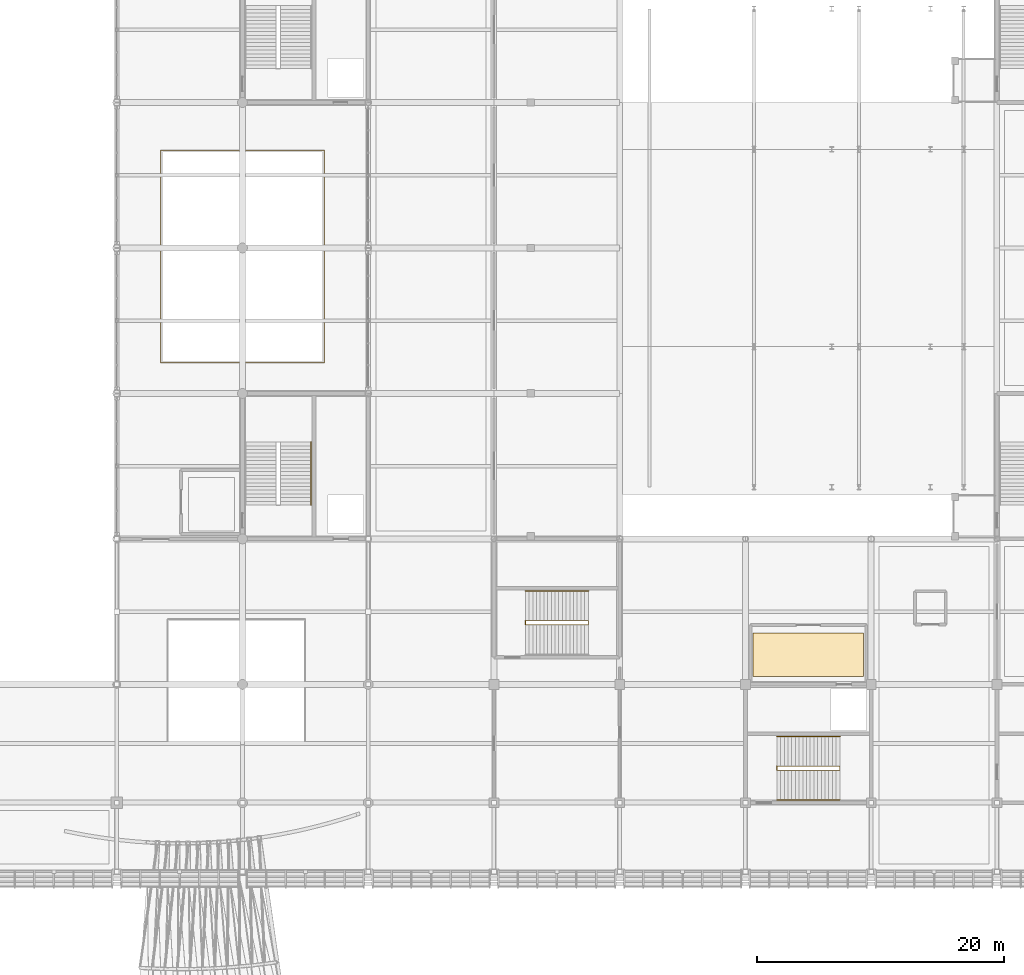
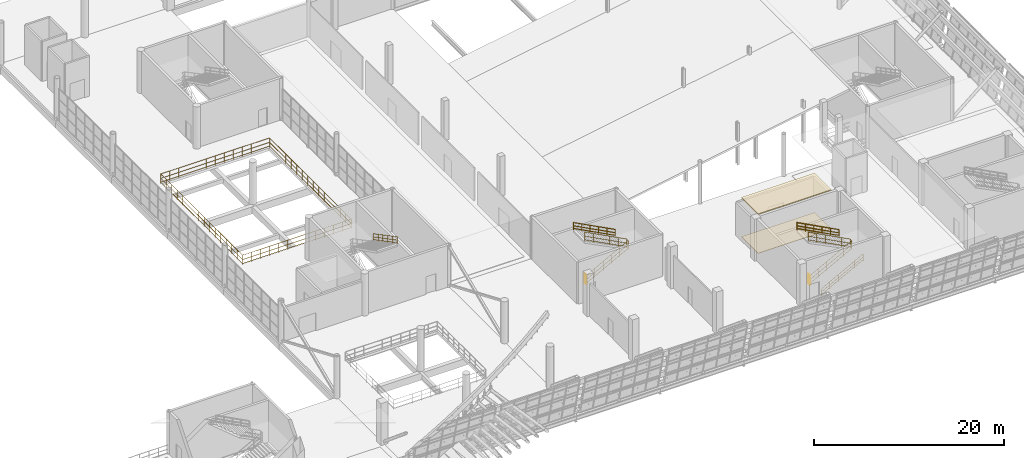
# One storey, part 167 of 175: 9 railings, 2 coverings.
"""IFC4 building model written with IfcOpenShell, lengths in metres."""

from ifc_helpers import new_model, si_unit, direction, frame, origin, origin_2d, place, context, subcontext, project, spatial, polyline, circle, outline, extrude, material, layer, layer_set, type_object, element, save


model = new_model("IFC4")

# Units and contexts
model_context = context("Model", 3, precision=1e-05, world=origin(), true_north=direction((0.0, 1.0)))
body_context = subcontext(model_context, "Body", "Model", "MODEL_VIEW")
ifc_project = project(units=[si_unit("LENGTHUNIT", "METRE"), si_unit("AREAUNIT", "SQUARE_METRE"), si_unit("VOLUMEUNIT", "CUBIC_METRE"), si_unit("PLANEANGLEUNIT", "RADIAN"), si_unit("MASSUNIT", "GRAM", prefix="KILO")], contexts=[model_context])

# Site, building, storey
site_placement = place(None, origin())
site = spatial("IfcSite", under=ifc_project, at=site_placement, CompositionType="ELEMENT")
building_placement = place(site_placement, origin())
building = spatial("IfcBuilding", under=site, at=building_placement, Name="Brelvane Convention Centre", CompositionType="ELEMENT")
storey_placement = place(building_placement, frame((0.0, 0.0, 5.39990234375)))
storey = spatial("IfcBuildingStorey", under=building, at=storey_placement, Name="L01", CompositionType="ELEMENT", Elevation=5.39990234375)

# Coverings
ifc_material_1 = material(Name="Perforated Anodised Aluminium Alloy 6063 Acoustic Baffle", Category="aluminium")
ifc_layer_1 = layer(ifc_material_1, 0.110107421875)
ifc_layer_set_1 = layer_set([ifc_layer_1], Name="Perforated Anodised Aluminium Alloy 6063 Acoustic Baffle")
covering_type_1 = type_object("IfcCoveringType", Name="Interior Finish CL-BAF-110", PredefinedType="CEILING", material=ifc_layer_set_1)
covering_1_placement = place(storey_placement, frame((0.0, 0.0, 5.010009765625)))
element("IfcCovering", 1, at=covering_1_placement, inside=storey, type_object=covering_type_1, Name="Firefighting Lift Lobby C8 Acoustic Ceiling (CL-BAF-110)", PredefinedType="CEILING", context=body_context, shape_type="SweptSolid", body=[
    extrude(outline(polyline([(194.429931640625, 29.429931640625), (203.3701171875, 29.429931640625), (203.3701171875, 32.969970703125), (194.429931640625, 32.969970703125), (194.429931640625, 29.429931640625)])), origin(), (0.0, 0.0, 1.0), 0.110107421875),
])
ifc_material_2 = material(Name="Heavy-Duty Quartz-Filled Industrial Epoxy Screed Grade A")
ifc_layer_2 = layer(ifc_material_2, 0.044921875)
ifc_layer_set_2 = layer_set([ifc_layer_2], Name="Heavy-Duty Quartz-Filled Industrial Epoxy Screed Grade A")
covering_type_2 = type_object("IfcCoveringType", Name="Interior Finish FL-EPX-45", PredefinedType="FLOORING", material=ifc_layer_set_2)
covering_2_placement = place(storey_placement, origin())
element("IfcCovering", 2, at=covering_2_placement, inside=storey, type_object=covering_type_2, Name="Firefighting Lift Lobby C8 Floor Finish (FL-EPX-45)", PredefinedType="FLOORING", context=body_context, shape_type="SweptSolid", body=[
    extrude(outline(polyline([(194.429931640625, 29.429931640625), (203.3701171875, 29.429931640625), (203.3701171875, 32.969970703125), (194.429931640625, 32.969970703125), (194.429931640625, 29.429931640625)])), origin(), (0.0, 0.0, 1.0), 0.045166015625),
])

# Railings
ifc_material_3 = material(Name="Steel E350 (350 MPa)", Category="steel")
railing_type_1 = type_object("IfcRailingType", Name="Railing BL-ATR-2", PredefinedType="BALUSTRADE", material=ifc_material_3)
railing_1_placement = place(storey_placement, frame((146.3798828125, 54.8798828125, 0.0)))
element("IfcRailing", 3, at=railing_1_placement, inside=storey, type_object=railing_type_1, Name="Railing BL-ATR-2 L01-atrium_well_04", PredefinedType="BALUSTRADE", context=body_context, shape_type="SweptSolid", body=[
    extrude(circle(Radius=0.02392578125, at=origin_2d()), frame((0.0, 0.0, 1.19580078125), z_axis=(1.0, 0.0, 0.0), x_axis=(0.0, 1.0, 0.0)), (0.0, 0.0, 1.0), 13.240234375),
    extrude(circle(Radius=0.02392578125, at=origin_2d()), frame((0.0, 0.0, 0.63427734375), z_axis=(1.0, 0.0, 0.0), x_axis=(0.0, 1.0, 0.0)), (0.0, 0.0, 1.0), 13.240234375),
    extrude(circle(Radius=0.02392578125, at=origin_2d()), frame((0.0, 0.0, 0.139892578125), z_axis=(1.0, 0.0, 0.0), x_axis=(0.0, 1.0, 0.0)), (0.0, 0.0, 1.0), 13.240234375),
    extrude(circle(Radius=0.02392578125, at=origin_2d()), frame((13.240234375, 0.0, 1.19580078125), z_axis=(0.0, 1.0, 0.0), x_axis=(-1.0, 0.0, 0.0)), (0.0, 0.0, 1.0), 17.240234375),
    extrude(circle(Radius=0.02392578125, at=origin_2d()), frame((13.240234375, 0.0, 0.63427734375), z_axis=(0.0, 1.0, 0.0), x_axis=(-1.0, 0.0, 0.0)), (0.0, 0.0, 1.0), 17.240234375),
    extrude(circle(Radius=0.02392578125, at=origin_2d()), frame((13.240234375, 0.0, 0.139892578125), z_axis=(0.0, 1.0, 0.0), x_axis=(-1.0, 0.0, 0.0)), (0.0, 0.0, 1.0), 17.240234375),
    extrude(circle(Radius=0.02392578125, at=origin_2d()), frame((13.240234375, 17.240234375, 1.19580078125), z_axis=(-1.0, 0.0, 0.0), x_axis=(0.0, -1.0, 0.0)), (0.0, 0.0, 1.0), 13.240234375),
    extrude(circle(Radius=0.02392578125, at=origin_2d()), frame((13.240234375, 17.240234375, 0.63427734375), z_axis=(-1.0, 0.0, 0.0), x_axis=(0.0, -1.0, 0.0)), (0.0, 0.0, 1.0), 13.240234375),
    extrude(circle(Radius=0.02392578125, at=origin_2d()), frame((13.240234375, 17.240234375, 0.139892578125), z_axis=(-1.0, 0.0, 0.0), x_axis=(0.0, -1.0, 0.0)), (0.0, 0.0, 1.0), 13.240234375),
    extrude(circle(Radius=0.02392578125, at=origin_2d()), frame((0.0, 17.240234375, 1.19580078125), z_axis=(0.0, -1.0, 0.0), x_axis=(1.0, 0.0, 0.0)), (0.0, 0.0, 1.0), 17.235107421875),
    extrude(circle(Radius=0.02392578125, at=origin_2d()), frame((0.0, 17.240234375, 0.63427734375), z_axis=(0.0, -1.0, 0.0), x_axis=(1.0, 0.0, 0.0)), (0.0, 0.0, 1.0), 17.235107421875),
    extrude(circle(Radius=0.02392578125, at=origin_2d()), frame((0.0, 17.240234375, 0.139892578125), z_axis=(0.0, -1.0, 0.0), x_axis=(1.0, 0.0, 0.0)), (0.0, 0.0, 1.0), 17.235107421875),
    extrude(circle(Radius=0.02099609375, at=origin_2d()), origin(), (0.0, 0.0, 1.0), 1.171875),
    extrude(circle(Radius=0.02099609375, at=origin_2d()), frame((1.103271484375, 0.0, 0.0)), (0.0, 0.0, 1.0), 1.171875),
    extrude(circle(Radius=0.02099609375, at=origin_2d()), frame((2.206787109375, 0.0, 0.0)), (0.0, 0.0, 1.0), 1.171875),
    extrude(circle(Radius=0.02099609375, at=origin_2d()), frame((3.31005859375, 0.0, 0.0)), (0.0, 0.0, 1.0), 1.171875),
    extrude(circle(Radius=0.02099609375, at=origin_2d()), frame((4.413330078125, 0.0, 0.0)), (0.0, 0.0, 1.0), 1.171875),
    extrude(circle(Radius=0.02099609375, at=origin_2d()), frame((5.516845703125, 0.0, 0.0)), (0.0, 0.0, 1.0), 1.171875),
    extrude(circle(Radius=0.02099609375, at=origin_2d()), frame((6.6201171875, 0.0, 0.0)), (0.0, 0.0, 1.0), 1.171875),
    extrude(circle(Radius=0.02099609375, at=origin_2d()), frame((7.723388671875, 0.0, 0.0)), (0.0, 0.0, 1.0), 1.171875),
    extrude(circle(Radius=0.02099609375, at=origin_2d()), frame((8.826904296875, 0.0, 0.0)), (0.0, 0.0, 1.0), 1.171875),
    extrude(circle(Radius=0.02099609375, at=origin_2d()), frame((9.93017578125, 0.0, 0.0)), (0.0, 0.0, 1.0), 1.171875),
    extrude(circle(Radius=0.02099609375, at=origin_2d()), frame((11.033447265625, 0.0, 0.0)), (0.0, 0.0, 1.0), 1.171875),
    extrude(circle(Radius=0.02099609375, at=origin_2d()), frame((12.136962890625, 0.0, 0.0)), (0.0, 0.0, 1.0), 1.171875),
    extrude(circle(Radius=0.02099609375, at=origin_2d()), frame((13.240234375, 0.0, 0.0)), (0.0, 0.0, 1.0), 1.171875),
    extrude(circle(Radius=0.02099609375, at=origin_2d()), frame((13.240234375, 1.1494140625, 0.0)), (0.0, 0.0, 1.0), 1.171875),
    extrude(circle(Radius=0.02099609375, at=origin_2d()), frame((13.240234375, 2.298583984375, 0.0)), (0.0, 0.0, 1.0), 1.171875),
    extrude(circle(Radius=0.02099609375, at=origin_2d()), frame((13.240234375, 3.447998046875, 0.0)), (0.0, 0.0, 1.0), 1.171875),
    extrude(circle(Radius=0.02099609375, at=origin_2d()), frame((13.240234375, 4.597412109375, 0.0)), (0.0, 0.0, 1.0), 1.171875),
    extrude(circle(Radius=0.02099609375, at=origin_2d()), frame((13.240234375, 5.746826171875, 0.0)), (0.0, 0.0, 1.0), 1.171875),
    extrude(circle(Radius=0.02099609375, at=origin_2d()), frame((13.240234375, 6.89599609375, 0.0)), (0.0, 0.0, 1.0), 1.171875),
    extrude(circle(Radius=0.02099609375, at=origin_2d()), frame((13.240234375, 8.04541015625, 0.0)), (0.0, 0.0, 1.0), 1.171875),
    extrude(circle(Radius=0.02099609375, at=origin_2d()), frame((13.240234375, 9.19482421875, 0.0)), (0.0, 0.0, 1.0), 1.171875),
    extrude(circle(Radius=0.02099609375, at=origin_2d()), frame((13.240234375, 10.34423828125, 0.0)), (0.0, 0.0, 1.0), 1.171875),
    extrude(circle(Radius=0.02099609375, at=origin_2d()), frame((13.240234375, 11.493408203125, 0.0)), (0.0, 0.0, 1.0), 1.171875),
    extrude(circle(Radius=0.02099609375, at=origin_2d()), frame((13.240234375, 12.642822265625, 0.0)), (0.0, 0.0, 1.0), 1.171875),
    extrude(circle(Radius=0.02099609375, at=origin_2d()), frame((13.240234375, 13.792236328125, 0.0)), (0.0, 0.0, 1.0), 1.171875),
    extrude(circle(Radius=0.02099609375, at=origin_2d()), frame((13.240234375, 14.941650390625, 0.0)), (0.0, 0.0, 1.0), 1.171875),
    extrude(circle(Radius=0.02099609375, at=origin_2d()), frame((13.240234375, 16.0908203125, 0.0)), (0.0, 0.0, 1.0), 1.171875),
    extrude(circle(Radius=0.02099609375, at=origin_2d()), frame((13.240234375, 17.240234375, 0.0)), (0.0, 0.0, 1.0), 1.171875),
    extrude(circle(Radius=0.02099609375, at=origin_2d()), frame((12.136962890625, 17.240234375, 0.0)), (0.0, 0.0, 1.0), 1.171875),
    extrude(circle(Radius=0.02099609375, at=origin_2d()), frame((11.033447265625, 17.240234375, 0.0)), (0.0, 0.0, 1.0), 1.171875),
    extrude(circle(Radius=0.02099609375, at=origin_2d()), frame((9.93017578125, 17.240234375, 0.0)), (0.0, 0.0, 1.0), 1.171875),
    extrude(circle(Radius=0.02099609375, at=origin_2d()), frame((8.826904296875, 17.240234375, 0.0)), (0.0, 0.0, 1.0), 1.171875),
    extrude(circle(Radius=0.02099609375, at=origin_2d()), frame((7.723388671875, 17.240234375, 0.0)), (0.0, 0.0, 1.0), 1.171875),
    extrude(circle(Radius=0.02099609375, at=origin_2d()), frame((6.6201171875, 17.240234375, 0.0)), (0.0, 0.0, 1.0), 1.171875),
    extrude(circle(Radius=0.02099609375, at=origin_2d()), frame((5.516845703125, 17.240234375, 0.0)), (0.0, 0.0, 1.0), 1.171875),
    extrude(circle(Radius=0.02099609375, at=origin_2d()), frame((4.413330078125, 17.240234375, 0.0)), (0.0, 0.0, 1.0), 1.171875),
    extrude(circle(Radius=0.02099609375, at=origin_2d()), frame((3.31005859375, 17.240234375, 0.0)), (0.0, 0.0, 1.0), 1.171875),
    extrude(circle(Radius=0.02099609375, at=origin_2d()), frame((2.206787109375, 17.240234375, 0.0)), (0.0, 0.0, 1.0), 1.171875),
    extrude(circle(Radius=0.02099609375, at=origin_2d()), frame((1.103271484375, 17.240234375, 0.0)), (0.0, 0.0, 1.0), 1.171875),
    extrude(circle(Radius=0.02099609375, at=origin_2d()), frame((0.0, 17.240234375, 0.0)), (0.0, 0.0, 1.0), 1.171875),
    extrude(circle(Radius=0.02099609375, at=origin_2d()), frame((0.0, 16.09130859375, 0.0)), (0.0, 0.0, 1.0), 1.171875),
    extrude(circle(Radius=0.02099609375, at=origin_2d()), frame((0.0, 14.942138671875, 0.0)), (0.0, 0.0, 1.0), 1.171875),
    extrude(circle(Radius=0.02099609375, at=origin_2d()), frame((0.0, 13.793212890625, 0.0)), (0.0, 0.0, 1.0), 1.171875),
    extrude(circle(Radius=0.02099609375, at=origin_2d()), frame((0.0, 12.644287109375, 0.0)), (0.0, 0.0, 1.0), 1.171875),
    extrude(circle(Radius=0.02099609375, at=origin_2d()), frame((0.0, 11.4951171875, 0.0)), (0.0, 0.0, 1.0), 1.171875),
    extrude(circle(Radius=0.02099609375, at=origin_2d()), frame((0.0, 10.34619140625, 0.0)), (0.0, 0.0, 1.0), 1.171875),
    extrude(circle(Radius=0.02099609375, at=origin_2d()), frame((0.0, 9.197265625, 0.0)), (0.0, 0.0, 1.0), 1.171875),
    extrude(circle(Radius=0.02099609375, at=origin_2d()), frame((0.0, 8.048095703125, 0.0)), (0.0, 0.0, 1.0), 1.171875),
    extrude(circle(Radius=0.02099609375, at=origin_2d()), frame((0.0, 6.899169921875, 0.0)), (0.0, 0.0, 1.0), 1.171875),
    extrude(circle(Radius=0.02099609375, at=origin_2d()), frame((0.0, 5.750244140625, 0.0)), (0.0, 0.0, 1.0), 1.171875),
    extrude(circle(Radius=0.02099609375, at=origin_2d()), frame((0.0, 4.60107421875, 0.0)), (0.0, 0.0, 1.0), 1.171875),
    extrude(circle(Radius=0.02099609375, at=origin_2d()), frame((0.0, 3.4521484375, 0.0)), (0.0, 0.0, 1.0), 1.171875),
    extrude(circle(Radius=0.02099609375, at=origin_2d()), frame((0.0, 2.30322265625, 0.0)), (0.0, 0.0, 1.0), 1.171875),
    extrude(circle(Radius=0.02099609375, at=origin_2d()), frame((0.0, 1.154052734375, 0.0)), (0.0, 0.0, 1.0), 1.171875),
    extrude(circle(Radius=0.02099609375, at=origin_2d()), frame((0.0, 0.005126953125, 0.0)), (0.0, 0.0, 1.0), 1.171875),
])
ifc_material_4 = material(Name="Steel E350 (350 MPa)", Category="steel")
railing_type_2 = type_object("IfcRailingType", Name="Stair Railing GR-ST-1", PredefinedType="GUARDRAIL", material=ifc_material_4)
railing_2_placement = place(storey_placement, frame((196.35009765625, 21.840087890625, -0.02001953125)))
element("IfcRailing", 4, at=railing_2_placement, inside=storey, type_object=railing_type_2, Name="Stair ST-08 L01 Inner Well Guard", PredefinedType="GUARDRAIL", context=body_context, shape_type="SweptSolid", body=[
    extrude(circle(Radius=0.02392578125, at=origin_2d()), frame((0.0, 0.0, 1.1259765625), z_axis=(0.882331893838, 0.0, 0.470627696929), x_axis=(0.0, 1.0, 0.0)), (0.0, 0.0, 1.0), 5.780029296875),
    extrude(circle(Radius=0.02392578125, at=origin_2d()), frame((0.0, 0.0, 0.597900390625), z_axis=(0.882331893838, 0.0, 0.470627696929), x_axis=(0.0, 1.0, 0.0)), (0.0, 0.0, 1.0), 5.780029296875),
    extrude(circle(Radius=0.02392578125, at=origin_2d()), frame((0.0, 0.0, 0.139892578125), z_axis=(0.882331893838, 0.0, 0.470627696929), x_axis=(0.0, 1.0, 0.0)), (0.0, 0.0, 1.0), 5.780029296875),
    extrude(circle(Radius=0.02392578125, at=origin_2d()), frame((5.099853515625, 0.0, 3.84619140625), z_axis=(0.0, 1.0, 0.0), x_axis=(-1.0, 0.0, 0.0)), (0.0, 0.0, 1.0), 0.31982421875),
    extrude(circle(Radius=0.02392578125, at=origin_2d()), frame((5.099853515625, 0.0, 3.318115234375), z_axis=(0.0, 1.0, 0.0), x_axis=(-1.0, 0.0, 0.0)), (0.0, 0.0, 1.0), 0.31982421875),
    extrude(circle(Radius=0.02392578125, at=origin_2d()), frame((5.099853515625, 0.0, 2.860107421875), z_axis=(0.0, 1.0, 0.0), x_axis=(-1.0, 0.0, 0.0)), (0.0, 0.0, 1.0), 0.31982421875),
    extrude(circle(Radius=0.02392578125, at=origin_2d()), frame((5.099853515625, 0.31982421875, 3.84619140625), z_axis=(-0.885218631674, 0.0, 0.465175207999), x_axis=(0.0, -1.0, 0.0)), (0.0, 0.0, 1.0), 5.76123046875),
    extrude(circle(Radius=0.02392578125, at=origin_2d()), frame((5.099853515625, 0.31982421875, 3.318115234375), z_axis=(-0.885218631674, 0.0, 0.465175207999), x_axis=(0.0, -1.0, 0.0)), (0.0, 0.0, 1.0), 5.76123046875),
    extrude(circle(Radius=0.02392578125, at=origin_2d()), frame((5.099853515625, 0.31982421875, 2.860107421875), z_axis=(-0.885218631674, 0.0, 0.465175207999), x_axis=(0.0, -1.0, 0.0)), (0.0, 0.0, 1.0), 5.76123046875),
    extrude(circle(Radius=0.02099609375, at=origin_2d()), origin(), (0.0, 0.0, 1.0), 1.101806640625),
    extrude(circle(Radius=0.02099609375, at=origin_2d()), frame((1.02001953125, 0.0, 0.5439453125)), (0.0, 0.0, 1.0), 1.101806640625),
    extrude(circle(Radius=0.02099609375, at=origin_2d()), frame((2.0400390625, 0.0, 1.088134765625)), (0.0, 0.0, 1.0), 1.101806640625),
    extrude(circle(Radius=0.02099609375, at=origin_2d()), frame((3.059814453125, 0.0, 1.632080078125)), (0.0, 0.0, 1.0), 1.101806640625),
    extrude(circle(Radius=0.02099609375, at=origin_2d()), frame((4.079833984375, 0.0, 2.17626953125)), (0.0, 0.0, 1.0), 1.101806640625),
    extrude(circle(Radius=0.02099609375, at=origin_2d()), frame((5.099853515625, 0.0, 2.72021484375)), (0.0, 0.0, 1.0), 1.101806640625),
    extrude(circle(Radius=0.02099609375, at=origin_2d()), frame((5.099853515625, 0.31982421875, 2.72021484375)), (0.0, 0.0, 1.0), 1.101806640625),
    extrude(circle(Radius=0.02099609375, at=origin_2d()), frame((4.079833984375, 0.31982421875, 3.256103515625)), (0.0, 0.0, 1.0), 1.101806640625),
    extrude(circle(Radius=0.02099609375, at=origin_2d()), frame((3.059814453125, 0.31982421875, 3.792236328125)), (0.0, 0.0, 1.0), 1.101806640625),
    extrude(circle(Radius=0.02099609375, at=origin_2d()), frame((2.0400390625, 0.31982421875, 4.328125)), (0.0, 0.0, 1.0), 1.101806640625),
    extrude(circle(Radius=0.02099609375, at=origin_2d()), frame((1.02001953125, 0.31982421875, 4.8642578125)), (0.0, 0.0, 1.0), 1.101806640625),
    extrude(circle(Radius=0.02099609375, at=origin_2d()), frame((0.0, 0.31982421875, 5.400146484375)), (0.0, 0.0, 1.0), 1.101806640625),
])
railing_3_placement = place(storey_placement, frame((175.949951171875, 33.639892578125, -0.02001953125)))
element("IfcRailing", 5, at=railing_3_placement, inside=storey, type_object=railing_type_2, Name="Stair ST-18 L01 Inner Well Guard", PredefinedType="GUARDRAIL", context=body_context, shape_type="SweptSolid", body=[
    extrude(circle(Radius=0.02392578125, at=origin_2d()), frame((0.0, 0.0, 1.1259765625), z_axis=(0.882341248864, 0.0, 0.470610157724), x_axis=(0.0, 1.0, 0.0)), (0.0, 0.0, 1.0), 5.7802734375),
    extrude(circle(Radius=0.02392578125, at=origin_2d()), frame((0.0, 0.0, 0.597900390625), z_axis=(0.882341248864, 0.0, 0.470610157724), x_axis=(0.0, 1.0, 0.0)), (0.0, 0.0, 1.0), 5.7802734375),
    extrude(circle(Radius=0.02392578125, at=origin_2d()), frame((0.0, 0.0, 0.139892578125), z_axis=(0.882341248864, 0.0, 0.470610157724), x_axis=(0.0, 1.0, 0.0)), (0.0, 0.0, 1.0), 5.7802734375),
    extrude(circle(Radius=0.02392578125, at=origin_2d()), frame((5.10009765625, 0.0, 3.84619140625), z_axis=(0.0, 1.0, 0.0), x_axis=(-1.0, 0.0, 0.0)), (0.0, 0.0, 1.0), 0.320068359375),
    extrude(circle(Radius=0.02392578125, at=origin_2d()), frame((5.10009765625, 0.0, 3.318115234375), z_axis=(0.0, 1.0, 0.0), x_axis=(-1.0, 0.0, 0.0)), (0.0, 0.0, 1.0), 0.320068359375),
    extrude(circle(Radius=0.02392578125, at=origin_2d()), frame((5.10009765625, 0.0, 2.860107421875), z_axis=(0.0, 1.0, 0.0), x_axis=(-1.0, 0.0, 0.0)), (0.0, 0.0, 1.0), 0.320068359375),
    extrude(circle(Radius=0.02392578125, at=origin_2d()), frame((5.10009765625, 0.320068359375, 3.84619140625), z_axis=(-0.885227801088, 0.0, 0.465157758379), x_axis=(0.0, -1.0, 0.0)), (0.0, 0.0, 1.0), 5.76123046875),
    extrude(circle(Radius=0.02392578125, at=origin_2d()), frame((5.10009765625, 0.320068359375, 3.318115234375), z_axis=(-0.885227801088, 0.0, 0.465157758379), x_axis=(0.0, -1.0, 0.0)), (0.0, 0.0, 1.0), 5.76123046875),
    extrude(circle(Radius=0.02392578125, at=origin_2d()), frame((5.10009765625, 0.320068359375, 2.860107421875), z_axis=(-0.885227801088, 0.0, 0.465157758379), x_axis=(0.0, -1.0, 0.0)), (0.0, 0.0, 1.0), 5.76123046875),
    extrude(circle(Radius=0.02099609375, at=origin_2d()), origin(), (0.0, 0.0, 1.0), 1.101806640625),
    extrude(circle(Radius=0.02099609375, at=origin_2d()), frame((1.02001953125, 0.0, 0.5439453125)), (0.0, 0.0, 1.0), 1.101806640625),
    extrude(circle(Radius=0.02099609375, at=origin_2d()), frame((2.0400390625, 0.0, 1.088134765625)), (0.0, 0.0, 1.0), 1.101806640625),
    extrude(circle(Radius=0.02099609375, at=origin_2d()), frame((3.06005859375, 0.0, 1.632080078125)), (0.0, 0.0, 1.0), 1.101806640625),
    extrude(circle(Radius=0.02099609375, at=origin_2d()), frame((4.080078125, 0.0, 2.17626953125)), (0.0, 0.0, 1.0), 1.101806640625),
    extrude(circle(Radius=0.02099609375, at=origin_2d()), frame((5.10009765625, 0.0, 2.72021484375)), (0.0, 0.0, 1.0), 1.101806640625),
    extrude(circle(Radius=0.02099609375, at=origin_2d()), frame((5.10009765625, 0.320068359375, 2.72021484375)), (0.0, 0.0, 1.0), 1.101806640625),
    extrude(circle(Radius=0.02099609375, at=origin_2d()), frame((4.080078125, 0.320068359375, 3.256103515625)), (0.0, 0.0, 1.0), 1.101806640625),
    extrude(circle(Radius=0.02099609375, at=origin_2d()), frame((3.06005859375, 0.320068359375, 3.792236328125)), (0.0, 0.0, 1.0), 1.101806640625),
    extrude(circle(Radius=0.02099609375, at=origin_2d()), frame((2.0400390625, 0.320068359375, 4.328125)), (0.0, 0.0, 1.0), 1.101806640625),
    extrude(circle(Radius=0.02099609375, at=origin_2d()), frame((1.02001953125, 0.320068359375, 4.8642578125)), (0.0, 0.0, 1.0), 1.101806640625),
    extrude(circle(Radius=0.02099609375, at=origin_2d()), frame((0.0, 0.320068359375, 5.400146484375)), (0.0, 0.0, 1.0), 1.101806640625),
])
ifc_material_5 = material(Name="Steel E350 (350 MPa)", Category="steel")
railing_type_3 = type_object("IfcRailingType", Name="Stair Railing GR-ST-2", PredefinedType="GUARDRAIL", material=ifc_material_5)
railing_4_placement = place(storey_placement, frame((196.35009765625, 21.840087890625, -0.02001953125)))
element("IfcRailing", 6, at=railing_4_placement, inside=storey, type_object=railing_type_3, Name="Stair ST-08 L01 Landing Well Guard", PredefinedType="GUARDRAIL", context=body_context, shape_type="SweptSolid", body=[
    extrude(circle(Radius=0.02392578125, at=origin_2d()), frame((0.0, 0.0, 1.15576171875), z_axis=(0.0, 1.0, 0.0), x_axis=(-1.0, 0.0, 0.0)), (0.0, 0.0, 1.0), 0.31982421875),
    extrude(circle(Radius=0.02392578125, at=origin_2d()), frame((0.0, 0.0, 0.613525390625), z_axis=(0.0, 1.0, 0.0), x_axis=(-1.0, 0.0, 0.0)), (0.0, 0.0, 1.0), 0.31982421875),
    extrude(circle(Radius=0.02392578125, at=origin_2d()), frame((0.0, 0.0, 0.139892578125), z_axis=(0.0, 1.0, 0.0), x_axis=(-1.0, 0.0, 0.0)), (0.0, 0.0, 1.0), 0.31982421875),
    extrude(circle(Radius=0.02099609375, at=origin_2d()), origin(), (0.0, 0.0, 1.0), 1.1318359375),
    extrude(circle(Radius=0.02099609375, at=origin_2d()), frame((0.0, 0.31982421875, 0.0)), (0.0, 0.0, 1.0), 1.1318359375),
])
railing_5_placement = place(storey_placement, frame((175.949951171875, 33.639892578125, -0.02001953125)))
element("IfcRailing", 7, at=railing_5_placement, inside=storey, type_object=railing_type_3, Name="Stair ST-18 L01 Landing Well Guard", PredefinedType="GUARDRAIL", context=body_context, shape_type="SweptSolid", body=[
    extrude(circle(Radius=0.02392578125, at=origin_2d()), frame((0.0, 0.0, 1.15576171875), z_axis=(0.0, 1.0, 0.0), x_axis=(-1.0, 0.0, 0.0)), (0.0, 0.0, 1.0), 0.320068359375),
    extrude(circle(Radius=0.02392578125, at=origin_2d()), frame((0.0, 0.0, 0.613525390625), z_axis=(0.0, 1.0, 0.0), x_axis=(-1.0, 0.0, 0.0)), (0.0, 0.0, 1.0), 0.320068359375),
    extrude(circle(Radius=0.02392578125, at=origin_2d()), frame((0.0, 0.0, 0.139892578125), z_axis=(0.0, 1.0, 0.0), x_axis=(-1.0, 0.0, 0.0)), (0.0, 0.0, 1.0), 0.320068359375),
    extrude(circle(Radius=0.02099609375, at=origin_2d()), origin(), (0.0, 0.0, 1.0), 1.1318359375),
    extrude(circle(Radius=0.02099609375, at=origin_2d()), frame((0.0, 0.320068359375, 0.0)), (0.0, 0.0, 1.0), 1.1318359375),
])
ifc_material_6 = material(Name="Steel E350 (350 MPa)", Category="steel")
railing_type_4 = type_object("IfcRailingType", Name="Stair Railing HR-ST-1", PredefinedType="HANDRAIL", material=ifc_material_6)
railing_6_placement = place(storey_placement, frame((158.570068359375, 48.449951171875, 2.7001953125)))
element("IfcRailing", 8, at=railing_6_placement, inside=storey, type_object=railing_type_4, Name="Stair ST-03 L01 Outer Handrail F2", PredefinedType="HANDRAIL", context=body_context, shape_type="SweptSolid", body=[
    extrude(circle(Radius=0.02392578125, at=origin_2d()), frame((0.0, 0.0, 0.89599609375), z_axis=(0.0, -0.885218631674, 0.465175207999), x_axis=(1.0, 0.0, 0.0)), (0.0, 0.0, 1.0), 5.76123046875),
    extrude(circle(Radius=0.02392578125, at=origin_2d()), frame((0.0, 0.0, 0.478271484375), z_axis=(0.0, -0.885218631674, 0.465175207999), x_axis=(1.0, 0.0, 0.0)), (0.0, 0.0, 1.0), 5.76123046875),
    extrude(circle(Radius=0.02392578125, at=origin_2d()), frame((0.0, 0.0, 0.139892578125), z_axis=(0.0, -0.885218631674, 0.465175207999), x_axis=(1.0, 0.0, 0.0)), (0.0, 0.0, 1.0), 5.76123046875),
    extrude(circle(Radius=0.02099609375, at=origin_2d()), origin(), (0.0, 0.0, 1.0), 0.871826171875),
    extrude(circle(Radius=0.02099609375, at=origin_2d()), frame((0.0, -1.02001953125, 0.535888671875)), (0.0, 0.0, 1.0), 0.871826171875),
    extrude(circle(Radius=0.02099609375, at=origin_2d()), frame((0.0, -2.0400390625, 1.072021484375)), (0.0, 0.0, 1.0), 0.871826171875),
    extrude(circle(Radius=0.02099609375, at=origin_2d()), frame((0.0, -3.059814453125, 1.60791015625)), (0.0, 0.0, 1.0), 0.871826171875),
    extrude(circle(Radius=0.02099609375, at=origin_2d()), frame((0.0, -4.079833984375, 2.14404296875)), (0.0, 0.0, 1.0), 0.871826171875),
    extrude(circle(Radius=0.02099609375, at=origin_2d()), frame((0.0, -5.099853515625, 2.679931640625)), (0.0, 0.0, 1.0), 0.871826171875),
])
railing_7_placement = place(storey_placement, frame((196.35009765625, 19.429931640625, -0.02001953125)))
element("IfcRailing", 9, at=railing_7_placement, inside=storey, type_object=railing_type_4, Name="Stair ST-08 L01 Outer Handrail F1", PredefinedType="HANDRAIL", context=body_context, shape_type="SweptSolid", body=[
    extrude(circle(Radius=0.02392578125, at=origin_2d()), frame((0.0, 0.0, 0.89599609375), z_axis=(0.882331893838, 0.0, 0.470627696929), x_axis=(0.0, 1.0, 0.0)), (0.0, 0.0, 1.0), 5.780029296875),
    extrude(circle(Radius=0.02392578125, at=origin_2d()), frame((0.0, 0.0, 0.478271484375), z_axis=(0.882331893838, 0.0, 0.470627696929), x_axis=(0.0, 1.0, 0.0)), (0.0, 0.0, 1.0), 5.780029296875),
    extrude(circle(Radius=0.02392578125, at=origin_2d()), frame((0.0, 0.0, 0.139892578125), z_axis=(0.882331893838, 0.0, 0.470627696929), x_axis=(0.0, 1.0, 0.0)), (0.0, 0.0, 1.0), 5.780029296875),
    extrude(circle(Radius=0.02099609375, at=origin_2d()), origin(), (0.0, 0.0, 1.0), 0.871826171875),
    extrude(circle(Radius=0.02099609375, at=origin_2d()), frame((1.02001953125, 0.0, 0.5439453125)), (0.0, 0.0, 1.0), 0.871826171875),
    extrude(circle(Radius=0.02099609375, at=origin_2d()), frame((2.0400390625, 0.0, 1.088134765625)), (0.0, 0.0, 1.0), 0.871826171875),
    extrude(circle(Radius=0.02099609375, at=origin_2d()), frame((3.059814453125, 0.0, 1.632080078125)), (0.0, 0.0, 1.0), 0.871826171875),
    extrude(circle(Radius=0.02099609375, at=origin_2d()), frame((4.079833984375, 0.0, 2.17626953125)), (0.0, 0.0, 1.0), 0.871826171875),
    extrude(circle(Radius=0.02099609375, at=origin_2d()), frame((5.099853515625, 0.0, 2.72021484375)), (0.0, 0.0, 1.0), 0.871826171875),
])
railing_8_placement = place(storey_placement, frame((201.449951171875, 24.570068359375, 2.7001953125)))
element("IfcRailing", 10, at=railing_8_placement, inside=storey, type_object=railing_type_4, Name="Stair ST-08 L01 Outer Handrail F2", PredefinedType="HANDRAIL", context=body_context, shape_type="SweptSolid", body=[
    extrude(circle(Radius=0.02392578125, at=origin_2d()), frame((0.0, 0.0, 0.89599609375), z_axis=(-0.885218631674, 0.0, 0.465175207999), x_axis=(0.0, -1.0, 0.0)), (0.0, 0.0, 1.0), 5.76123046875),
    extrude(circle(Radius=0.02392578125, at=origin_2d()), frame((0.0, 0.0, 0.478271484375), z_axis=(-0.885218631674, 0.0, 0.465175207999), x_axis=(0.0, -1.0, 0.0)), (0.0, 0.0, 1.0), 5.76123046875),
    extrude(circle(Radius=0.02392578125, at=origin_2d()), frame((0.0, 0.0, 0.139892578125), z_axis=(-0.885218631674, 0.0, 0.465175207999), x_axis=(0.0, -1.0, 0.0)), (0.0, 0.0, 1.0), 5.76123046875),
    extrude(circle(Radius=0.02099609375, at=origin_2d()), origin(), (0.0, 0.0, 1.0), 0.871826171875),
    extrude(circle(Radius=0.02099609375, at=origin_2d()), frame((-1.02001953125, 0.0, 0.535888671875)), (0.0, 0.0, 1.0), 0.871826171875),
    extrude(circle(Radius=0.02099609375, at=origin_2d()), frame((-2.0400390625, 0.0, 1.072021484375)), (0.0, 0.0, 1.0), 0.871826171875),
    extrude(circle(Radius=0.02099609375, at=origin_2d()), frame((-3.059814453125, 0.0, 1.60791015625)), (0.0, 0.0, 1.0), 0.871826171875),
    extrude(circle(Radius=0.02099609375, at=origin_2d()), frame((-4.079833984375, 0.0, 2.14404296875)), (0.0, 0.0, 1.0), 0.871826171875),
    extrude(circle(Radius=0.02099609375, at=origin_2d()), frame((-5.099853515625, 0.0, 2.679931640625)), (0.0, 0.0, 1.0), 0.871826171875),
])
railing_9_placement = place(storey_placement, frame((181.050048828125, 36.3701171875, 2.7001953125)))
element("IfcRailing", 11, at=railing_9_placement, inside=storey, type_object=railing_type_4, Name="Stair ST-18 L01 Outer Handrail F2", PredefinedType="HANDRAIL", context=body_context, shape_type="SweptSolid", body=[
    extrude(circle(Radius=0.02392578125, at=origin_2d()), frame((0.0, 0.0, 0.89599609375), z_axis=(-0.885227801088, 0.0, 0.465157758379), x_axis=(0.0, -1.0, 0.0)), (0.0, 0.0, 1.0), 5.76123046875),
    extrude(circle(Radius=0.02392578125, at=origin_2d()), frame((0.0, 0.0, 0.478271484375), z_axis=(-0.885227801088, 0.0, 0.465157758379), x_axis=(0.0, -1.0, 0.0)), (0.0, 0.0, 1.0), 5.76123046875),
    extrude(circle(Radius=0.02392578125, at=origin_2d()), frame((0.0, 0.0, 0.139892578125), z_axis=(-0.885227801088, 0.0, 0.465157758379), x_axis=(0.0, -1.0, 0.0)), (0.0, 0.0, 1.0), 5.76123046875),
    extrude(circle(Radius=0.02099609375, at=origin_2d()), origin(), (0.0, 0.0, 1.0), 0.871826171875),
    extrude(circle(Radius=0.02099609375, at=origin_2d()), frame((-1.02001953125, 0.0, 0.535888671875)), (0.0, 0.0, 1.0), 0.871826171875),
    extrude(circle(Radius=0.02099609375, at=origin_2d()), frame((-2.0400390625, 0.0, 1.072021484375)), (0.0, 0.0, 1.0), 0.871826171875),
    extrude(circle(Radius=0.02099609375, at=origin_2d()), frame((-3.06005859375, 0.0, 1.60791015625)), (0.0, 0.0, 1.0), 0.871826171875),
    extrude(circle(Radius=0.02099609375, at=origin_2d()), frame((-4.080078125, 0.0, 2.14404296875)), (0.0, 0.0, 1.0), 0.871826171875),
    extrude(circle(Radius=0.02099609375, at=origin_2d()), frame((-5.10009765625, 0.0, 2.679931640625)), (0.0, 0.0, 1.0), 0.871826171875),
])

save(model, "model.ifc")
